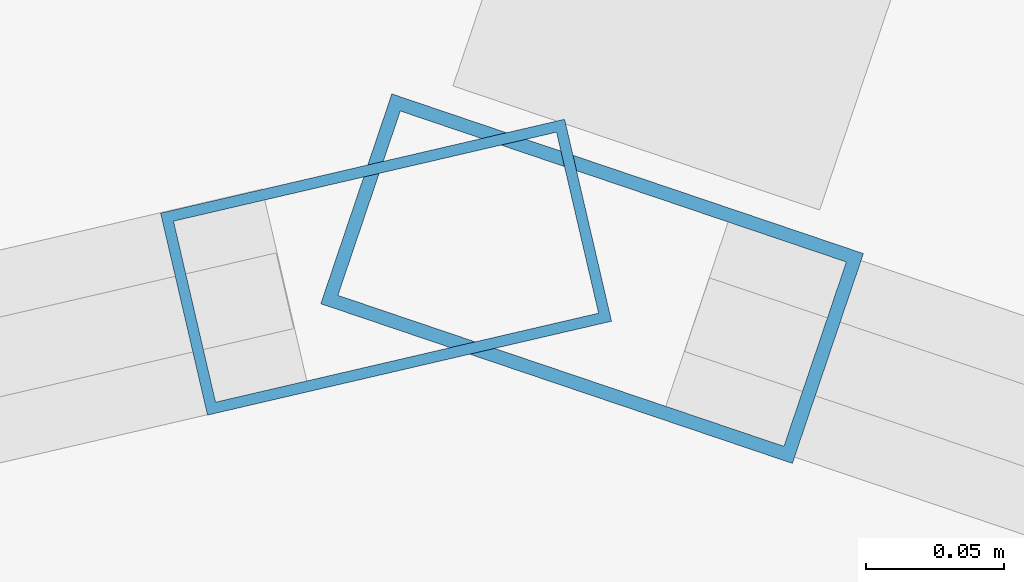
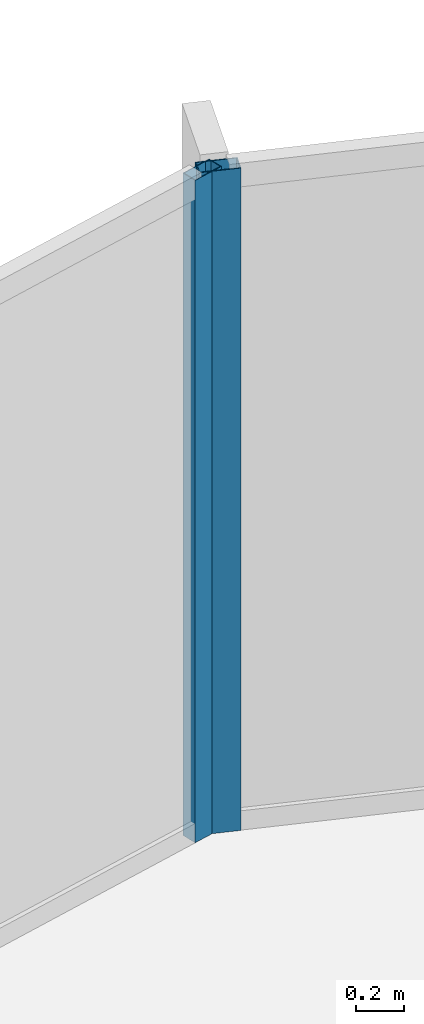
# One storey, part 23 of 31: 2 members, 2 elements without a shape of their own.
"""IFC4 building model written with IfcOpenShell, lengths in metres."""

from ifc_helpers import new_model, si_unit, direction, frame, origin, origin_2d, place, context, subcontext, project, spatial, hollow_rectangle, extrude, material, layer, layer_set, material_profile, profile_set, type_object, element, aggregate, save


model = new_model("IFC4")

# Units and contexts
model_context = context("Model", 3, precision=1e-05, world=origin(), true_north=direction((0.0, 1.0)))
body_context = subcontext(model_context, "Body", "Model", "MODEL_VIEW")
ifc_project = project(units=[si_unit("LENGTHUNIT", "METRE"), si_unit("AREAUNIT", "SQUARE_METRE"), si_unit("VOLUMEUNIT", "CUBIC_METRE"), si_unit("PLANEANGLEUNIT", "RADIAN"), si_unit("MASSUNIT", "GRAM", prefix="KILO")], contexts=[model_context])

# Site, building, storey
site_placement = place(None, origin())
site = spatial("IfcSite", under=ifc_project, at=site_placement, CompositionType="ELEMENT")
building_placement = place(site_placement, origin())
building = spatial("IfcBuilding", under=site, at=building_placement, Name="Kazevale Care Tower and Concert Hall", CompositionType="ELEMENT")
storey_placement = place(building_placement, frame((0.0, 0.0, 81.60009765625)))
storey = spatial("IfcBuildingStorey", under=building, at=storey_placement, Name="L21", CompositionType="ELEMENT", Elevation=81.60009765625)

# Curtain wall, member
ifc_material_1 = material(Name="Aluminium 6063-T6 and Low-E Glass", Category="aluminium")
ifc_layer_1 = layer(ifc_material_1, 0.179931640625)
ifc_layer_set_1 = layer_set([ifc_layer_1], Name="Aluminium 6063-T6 and Low-E Glass")
curtain_wall_type_1 = type_object("IfcCurtainWallType", Name="Convex Checkerboard Finned Curtain Wall CW-2", PredefinedType="NOTDEFINED", material=ifc_layer_set_1)
curtain_wall_1_placement = place(storey_placement, origin())
curtain_wall_1 = element("IfcCurtainWall", 1, at=curtain_wall_1_placement, inside=storey, type_object=curtain_wall_type_1, Name="cw:L21:f16", PredefinedType="NOTDEFINED")
ifc_material_2 = material(Name="Aluminium 6063-T6", Category="aluminium")
ifc_material_profile_1 = material_profile(ifc_material_2, hollow_rectangle(XDim=0.080078125, YDim=0.179931640625, WallThickness=0.0048828125, at=origin_2d()), Name="ALU80x180x5")
ifc_profile_set_1 = profile_set([ifc_material_profile_1], Name="Aluminium 6063-T6")
member_type_1 = type_object("IfcMemberType", Name="CW-2 Mullion ALU80x180x5", PredefinedType="MULLION", material=ifc_profile_set_1)
member_1_placement = place(storey_placement, frame((44.993896484375, 66.1552734375, 0.0), z_axis=(0.0, 0.0, 1.0), x_axis=(0.320635577685, 0.947202632135, 0.0)))
member_1 = element("IfcMember", 2, at=member_1_placement, type_object=member_type_1, Name="CW-2 mullion 1", PredefinedType="MULLION", context=body_context, shape_type="SweptSolid", body=[
    extrude(hollow_rectangle(XDim=0.080078125, YDim=0.179931640625, WallThickness=0.0048828125, at=origin_2d()), origin(), (0.0, 0.0, 1.0), 3.35986328125),
])
aggregate(curtain_wall_1, [member_1])

ifc_layer_2 = layer(ifc_material_1, 0.179931640625)
ifc_layer_set_2 = layer_set([ifc_layer_2], Name="Aluminium 6063-T6 and Low-E Glass")
curtain_wall_type_2 = type_object("IfcCurtainWallType", Name="Convex Recessed Sunroom Curtain Wall CW-3", PredefinedType="NOTDEFINED", material=ifc_layer_set_2)
curtain_wall_2_placement = place(storey_placement, origin())
curtain_wall_2 = element("IfcCurtainWall", 3, at=curtain_wall_2_placement, inside=storey, type_object=curtain_wall_type_2, Name="cw:L21:f15", PredefinedType="NOTDEFINED")
ifc_material_profile_2 = material_profile(ifc_material_2, hollow_rectangle(XDim=0.074951171875, YDim=0.14990234375, WallThickness=0.00390625, at=origin_2d()), Name="ALU75x150x4")
ifc_profile_set_2 = profile_set([ifc_material_profile_2], Name="Aluminium 6063-T6")
member_type_2 = type_object("IfcMemberType", Name="CW-3 Mullion ALU75x150x4", PredefinedType="MULLION", material=ifc_profile_set_2)
member_2_placement = place(storey_placement, frame((44.91943359375, 66.159423828125, 0.0), z_axis=(0.0, 0.0, 1.0), x_axis=(-0.226287348061, 0.9740605916, 0.0)))
member_2 = element("IfcMember", 4, at=member_2_placement, type_object=member_type_2, Name="CW-3 mullion 2", PredefinedType="MULLION", context=body_context, shape_type="SweptSolid", body=[
    extrude(hollow_rectangle(XDim=0.074951171875, YDim=0.14990234375, WallThickness=0.00390625, at=origin_2d()), origin(), (0.0, 0.0, 1.0), 3.35986328125),
])
aggregate(curtain_wall_2, [member_2])

save(model, "model.ifc")
